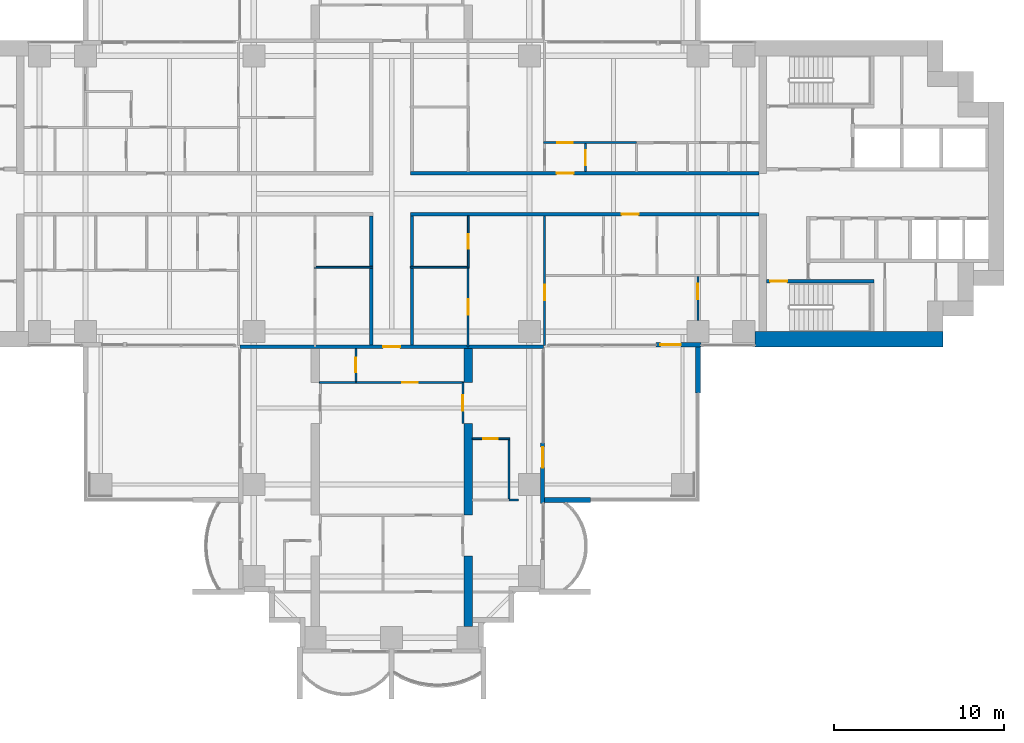
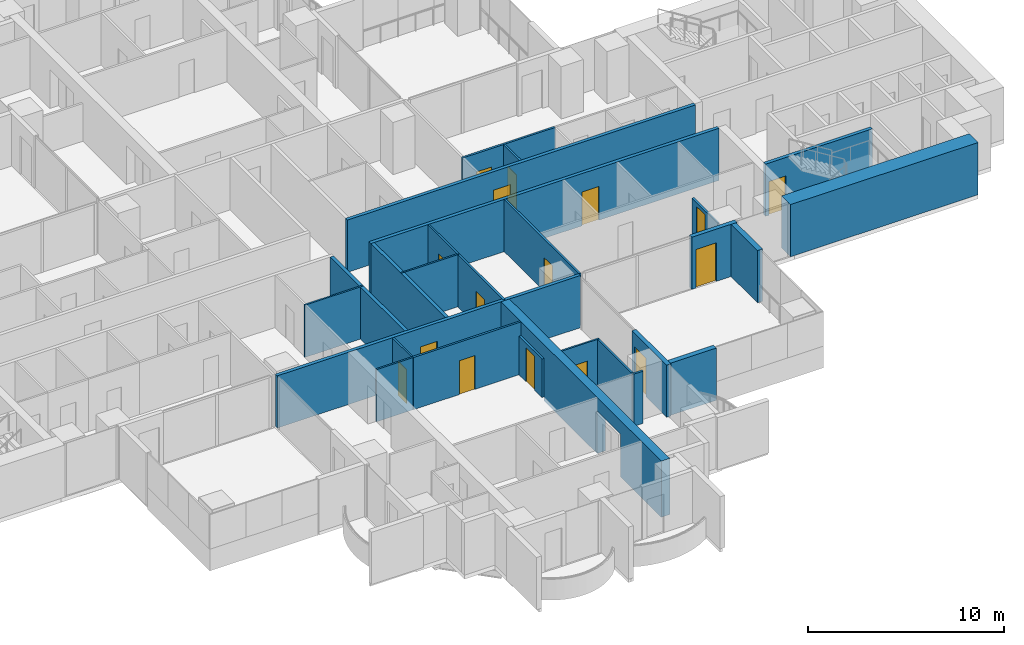
# One storey, part 12 of 21: 27 walls, 16 doors, 16 openings.
"""IFC4 building model written with IfcOpenShell, lengths in metres."""

from ifc_helpers import new_model, si_unit, direction, frame, frame_2d, origin, place, context, subcontext, project, spatial, polyline, rectangle, outline, extrude, material, layer, layer_set, material_profile, profile_set, type_object, element, fill, save


model = new_model("IFC4")

# Units and contexts
model_context = context("Model", 3, precision=1e-05, world=origin(), true_north=direction((0.0, 1.0)))
body_context = subcontext(model_context, "Body", "Model", "MODEL_VIEW")
ifc_project = project(units=[si_unit("LENGTHUNIT", "METRE"), si_unit("AREAUNIT", "SQUARE_METRE"), si_unit("VOLUMEUNIT", "CUBIC_METRE"), si_unit("PLANEANGLEUNIT", "RADIAN"), si_unit("MASSUNIT", "GRAM", prefix="KILO")], contexts=[model_context])

# Site, building, storey
site_placement = place(None, origin())
site = spatial("IfcSite", under=ifc_project, at=site_placement, CompositionType="ELEMENT")
building_placement = place(site_placement, origin())
building = spatial("IfcBuilding", under=site, at=building_placement, Name="Perihelion Cross Residences", CompositionType="ELEMENT")
storey_placement = place(building_placement, frame((0.0, 0.0, 43.5)))
storey = spatial("IfcBuildingStorey", under=building, at=storey_placement, Name="L07", CompositionType="ELEMENT", Elevation=43.5)

# Wall, opening, door
ifc_material_1 = material(Name="Plasterboard partition")
ifc_layer_1 = layer(ifc_material_1, 0.199951171875)
ifc_layer_set_1 = layer_set([ifc_layer_1], Name="Apartment separation wall 200")
wall_type_1 = type_object("IfcWallType", Name="Apartment separation wall 200", PredefinedType="PARTITIONING", material=ifc_layer_set_1)
wall_1_placement = place(storey_placement, frame((1.10009765625, 1.199951171875, 0.0), z_axis=(0.0, 0.0, 1.0), x_axis=(1.0, 0.0, 0.0)))
wall_1 = element("IfcWall", 1, at=wall_1_placement, inside=storey, type_object=wall_type_1, Name="Partition L07 W001", PredefinedType="PARTITIONING", context=body_context, shape_type="SweptSolid", body=[
    extrude(rectangle(XDim=20.5, YDim=0.199951171875, at=frame_2d((10.25, 0.0))), origin(), (0.0, 0.0, 1.0), 3.25),
])
opening_1_placement = place(wall_1_placement, frame((8.60009765625, 0.0, 0.0)))
opening_1 = element("IfcOpeningElement", 2, at=opening_1_placement, cuts=wall_1, Name="Opening L07.A50", PredefinedType="OPENING", context=body_context, shape_type="SweptSolid", body=[
    extrude(rectangle(XDim=1.0, YDim=2.10009765625, at=frame_2d((0.5, 1.050048828125))), frame((0.0, 0.10986328125, 0.0), z_axis=(0.0, -1.0, 0.0), x_axis=(1.0, 0.0, 0.0)), (0.0, 0.0, 1.0), 0.219970703125),
])
ifc_material_2 = material(Name="Timber door leaf", Category="wood")
door_type_1 = type_object("IfcDoorType", Name="Flat entrance door 1000 x 2100", OperationType="SINGLE_SWING_LEFT", PredefinedType="DOOR", material=ifc_material_2)
door_1_placement = place(opening_1_placement, origin())
door_1 = element("IfcDoor", 3, at=door_1_placement, inside=storey, type_object=door_type_1, Name="Door L07.A50", OperationType="SINGLE_SWING_RIGHT", OverallHeight=2.10009765625, OverallWidth=1.0, PredefinedType="DOOR", context=body_context, shape_type="SweptSolid", body=[
    extrude(rectangle(XDim=1.0, YDim=2.10009765625, at=frame_2d((0.5, 1.050048828125))), frame((0.0, 0.02490234375, 0.0), z_axis=(0.0, -1.0, 0.0), x_axis=(1.0, 0.0, 0.0)), (0.0, 0.0, 1.0), 0.050048828125),
])
fill(opening_1, door_1)

wall_2_placement = place(storey_placement, frame((21.60009765625, -1.199951171875, 0.0), z_axis=(0.0, 0.0, 1.0), x_axis=(-1.0, 0.0, 0.0)))
wall_2 = element("IfcWall", 4, at=wall_2_placement, inside=storey, type_object=wall_type_1, Name="Partition L07 W003", PredefinedType="PARTITIONING", context=body_context, shape_type="SweptSolid", body=[
    extrude(rectangle(XDim=20.5, YDim=0.199951171875, at=frame_2d((10.25, 0.0))), origin(), (0.0, 0.0, 1.0), 3.25),
])
opening_2_placement = place(wall_2_placement, frame((7.074951171875, 0.0, 0.0)))
opening_2 = element("IfcOpeningElement", 5, at=opening_2_placement, cuts=wall_2, Name="Opening L07.A51", PredefinedType="OPENING", context=body_context, shape_type="SweptSolid", body=[
    extrude(rectangle(XDim=1.0, YDim=2.10009765625, at=frame_2d((0.5, 1.050048828125))), frame((0.0, 0.10986328125, 0.0), z_axis=(0.0, -1.0, 0.0), x_axis=(1.0, 0.0, 0.0)), (0.0, 0.0, 1.0), 0.219970703125),
])
door_2_placement = place(opening_2_placement, origin())
door_2 = element("IfcDoor", 6, at=door_2_placement, inside=storey, type_object=door_type_1, Name="Door L07.A51", OperationType="SINGLE_SWING_LEFT", OverallHeight=2.10009765625, OverallWidth=1.0, PredefinedType="DOOR", context=body_context, shape_type="SweptSolid", body=[
    extrude(rectangle(XDim=1.0, YDim=2.10009765625, at=frame_2d((0.5, 1.050048828125))), frame((0.0, 0.02490234375, 0.0), z_axis=(0.0, -1.0, 0.0), x_axis=(1.0, 0.0, 0.0)), (0.0, 0.0, 1.0), 0.050048828125),
])
fill(opening_2, door_2)

# Walls
for number, where, z_axis, x_axis, name in (
    (7, (1.199951171875, -1.300048828125, 0.0), (0.0, 0.0, 1.0), (0.0, -1.0, 0.0), "Partition L07 W004"),
    (8, (-1.199951171875, -8.89990234375, 0.0), (0.0, 0.0, 1.0), (0.0, 1.0, 0.0), "Partition L07 W008"),
):
    element("IfcWall", number, at=place(storey_placement, frame(where, z_axis=z_axis, x_axis=x_axis)), inside=storey, type_object=wall_type_1, Name=name, PredefinedType="PARTITIONING", context=body_context, shape_type="SweptSolid", body=[
        extrude(rectangle(XDim=7.599853515625, YDim=0.199951171875, at=frame_2d((3.7998046875, 0.0))), origin(), (0.0, 0.0, 1.0), 3.25),
    ])

# Wall, opening, door
wall_3_placement = place(storey_placement, frame((8.919921875, -9.0, 0.0), z_axis=(0.0, 0.0, 1.0), x_axis=(-1.0, 0.0, 0.0)))
wall_3 = element("IfcWall", 9, at=wall_3_placement, inside=storey, type_object=wall_type_1, Name="Partition L07 W010", PredefinedType="PARTITIONING", context=body_context, shape_type="SweptSolid", body=[
    extrude(rectangle(XDim=17.83984375, YDim=0.199951171875, at=frame_2d((8.919921875, 0.0))), origin(), (0.0, 0.0, 1.0), 3.25),
])
opening_3_placement = place(wall_3_placement, frame((8.419921875, 0.0, 0.0)))
opening_3 = element("IfcOpeningElement", 10, at=opening_3_placement, cuts=wall_3, Name="Opening L07.A42", PredefinedType="OPENING", context=body_context, shape_type="SweptSolid", body=[
    extrude(rectangle(XDim=1.0, YDim=2.10009765625, at=frame_2d((0.5, 1.050048828125))), frame((0.0, 0.10986328125, 0.0), z_axis=(0.0, -1.0, 0.0), x_axis=(1.0, 0.0, 0.0)), (0.0, 0.0, 1.0), 0.219970703125),
])
door_3_placement = place(opening_3_placement, origin())
door_3 = element("IfcDoor", 11, at=door_3_placement, inside=storey, type_object=door_type_1, Name="Door L07.A42", OperationType="SINGLE_SWING_RIGHT", OverallHeight=2.10009765625, OverallWidth=1.0, PredefinedType="DOOR", context=body_context, shape_type="SweptSolid", body=[
    extrude(rectangle(XDim=1.0, YDim=2.10009765625, at=frame_2d((0.5, 1.050048828125))), frame((0.0, 0.02490234375, 0.0), z_axis=(0.0, -1.0, 0.0), x_axis=(1.0, 0.0, 0.0)), (0.0, 0.0, 1.0), 0.050048828125),
])
fill(opening_3, door_3)

ifc_material_3 = material(Name="Concrete C30/37, bronze-clad", Category="concrete")
ifc_layer_2 = layer(ifc_material_3, 0.25)
ifc_layer_set_2 = layer_set([ifc_layer_2], Name="Bronze-clad pier wall 250")
wall_type_2 = type_object("IfcWallType", Name="Bronze-clad pier wall 250", PredefinedType="SOLIDWALL", material=ifc_layer_set_2)
wall_4_placement = place(storey_placement, frame((8.875, -18.199951171875, 0.0), z_axis=(0.0, 0.0, 1.0), x_axis=(0.0, 1.0, 0.0)))
wall_4 = element("IfcWall", 12, at=wall_4_placement, inside=storey, type_object=wall_type_2, Name="Wall FW1 L07 south side east bay 2 pier", PredefinedType="SOLIDWALL", context=body_context, shape_type="SweptSolid", body=[
    extrude(rectangle(XDim=3.550048828125, YDim=0.25, at=frame_2d((1.77490234375, 0.0))), origin(), (0.0, 0.0, 1.0), 3.25),
])
opening_4_placement = place(wall_4_placement, frame((2.10009765625, 0.0, 0.0)))
opening_4 = element("IfcOpeningElement", 13, at=opening_4_placement, cuts=wall_4, Name="Opening L07.E15", PredefinedType="OPENING", context=body_context, shape_type="SweptSolid", body=[
    extrude(rectangle(XDim=1.199951171875, YDim=2.39990234375, at=frame_2d((0.60009765625, 1.199951171875))), frame((0.0, 0.135009765625, 0.0), z_axis=(0.0, -1.0, 0.0), x_axis=(1.0, 0.0, 0.0)), (0.0, 0.0, 1.0), 0.27001953125),
])
ifc_material_4 = material(Name="Bronze anodised aluminium, glazed", Category="aluminium")
door_type_2 = type_object("IfcDoorType", Name="Balcony door 1200 x 2400", OperationType="NOTDEFINED", PredefinedType="DOOR", material=ifc_material_4)
door_4_placement = place(opening_4_placement, origin())
door_4 = element("IfcDoor", 14, at=door_4_placement, inside=storey, type_object=door_type_2, Name="Door L07.E15 south side east bay 2", OperationType="SINGLE_SWING_RIGHT", OverallHeight=2.39990234375, OverallWidth=1.199951171875, PredefinedType="DOOR", context=body_context, shape_type="SweptSolid", body=[
    extrude(rectangle(XDim=1.199951171875, YDim=2.39990234375, at=frame_2d((0.60009765625, 1.199951171875))), frame((0.0, 0.02490234375, 0.0), z_axis=(0.0, -1.0, 0.0), x_axis=(1.0, 0.0, 0.0)), (0.0, 0.0, 1.0), 0.050048828125),
])
fill(opening_4, door_4)

wall_5_placement = place(storey_placement, frame((15.550048828125, -8.875, 0.0), z_axis=(0.0, 0.0, 1.0), x_axis=(1.0, 0.0, 0.0)))
wall_5 = element("IfcWall", 15, at=wall_5_placement, inside=storey, type_object=wall_type_2, Name="Wall FW1 L07 east side south bay 1 pier", PredefinedType="SOLIDWALL", context=body_context, shape_type="SweptSolid", body=[
    extrude(rectangle(XDim=2.64990234375, YDim=0.25, at=frame_2d((1.324951171875, 0.0))), origin(), (0.0, 0.0, 1.0), 3.25),
])
opening_5_placement = place(wall_5_placement, frame((0.25, 0.0, 0.0)))
opening_5 = element("IfcOpeningElement", 16, at=opening_5_placement, cuts=wall_5, Name="Opening L07.E16", PredefinedType="OPENING", context=body_context, shape_type="SweptSolid", body=[
    extrude(rectangle(XDim=1.199951171875, YDim=2.39990234375, at=frame_2d((0.60009765625, 1.199951171875))), frame((0.0, 0.135009765625, 0.0), z_axis=(0.0, -1.0, 0.0), x_axis=(1.0, 0.0, 0.0)), (0.0, 0.0, 1.0), 0.27001953125),
])
door_5_placement = place(opening_5_placement, origin())
door_5 = element("IfcDoor", 17, at=door_5_placement, inside=storey, type_object=door_type_2, Name="Door L07.E16 east side south bay 1", OperationType="SINGLE_SWING_LEFT", OverallHeight=2.39990234375, OverallWidth=1.199951171875, PredefinedType="DOOR", context=body_context, shape_type="SweptSolid", body=[
    extrude(rectangle(XDim=1.199951171875, YDim=2.39990234375, at=frame_2d((0.60009765625, 1.199951171875))), frame((0.0, 0.02490234375, 0.0), z_axis=(0.0, -1.0, 0.0), x_axis=(1.0, 0.0, 0.0)), (0.0, 0.0, 1.0), 0.050048828125),
])
fill(opening_5, door_5)

# Wall
ifc_material_5 = material(Name="Concrete C60/75", Category="concrete")
ifc_layer_3 = layer(ifc_material_5, 0.89990234375)
ifc_layer_set_3 = layer_set([ifc_layer_3], Name="Core wall, outer 900")
wall_type_3 = type_object("IfcWallType", Name="Core wall, outer 900", PredefinedType="SHEAR", material=ifc_layer_set_3)
wall_6_placement = place(storey_placement, frame((21.35009765625, -8.550048828125, 0.0), z_axis=(0.0, 0.0, 1.0), x_axis=(1.0, 0.0, 0.0)))
element("IfcWall", 18, at=wall_6_placement, inside=storey, type_object=wall_type_3, Name="East core core wall, outer", PredefinedType="SHEAR", context=body_context, shape_type="SweptSolid", body=[
    extrude(rectangle(XDim=11.0498046875, YDim=0.89990234375, at=frame_2d((5.52490234375, 0.0))), origin(), (0.0, 0.0, 1.0), 3.25),
])

# Wall, opening, door
ifc_material_6 = material(Name="Plasterboard partition")
ifc_layer_4 = layer(ifc_material_6, 0.1201171875)
ifc_layer_set_4 = layer_set([ifc_layer_4], Name="Infill panel 120")
wall_type_4 = type_object("IfcWallType", Name="Infill panel 120", PredefinedType="PARTITIONING", material=ifc_layer_set_4)
wall_7_placement = place(storey_placement, frame((4.18994140625, -11.10009765625, 0.0), z_axis=(0.0, 0.0, 1.0), x_axis=(0.0, -1.0, 0.0)))
wall_7 = element("IfcWall", 19, at=wall_7_placement, inside=storey, type_object=wall_type_4, Name="Partition L07 WI05", PredefinedType="PARTITIONING", context=body_context, shape_type="SweptSolid", body=[
    extrude(rectangle(XDim=2.39990234375, YDim=0.1201171875, at=frame_2d((1.199951171875, 0.0))), origin(), (0.0, 0.0, 1.0), 2.39990234375),
])
opening_6_placement = place(wall_7_placement, frame((0.75, 0.0, 0.0)))
opening_6 = element("IfcOpeningElement", 20, at=opening_6_placement, cuts=wall_7, Name="Opening L07.A58", PredefinedType="OPENING", context=body_context, shape_type="SweptSolid", body=[
    extrude(rectangle(XDim=0.89990234375, YDim=2.10009765625, at=frame_2d((0.449951171875, 1.050048828125))), frame((0.0, 0.070068359375, 0.0), z_axis=(0.0, -1.0, 0.0), x_axis=(1.0, 0.0, 0.0)), (0.0, 0.0, 1.0), 0.14013671875),
])
ifc_material_7 = material(Name="Timber door leaf", Category="wood")
door_type_3 = type_object("IfcDoorType", Name="Interior room door 900 x 2100", OperationType="SINGLE_SWING_LEFT", PredefinedType="DOOR", material=ifc_material_7)
door_6_placement = place(opening_6_placement, origin())
door_6 = element("IfcDoor", 21, at=door_6_placement, inside=storey, type_object=door_type_3, Name="Door L07.A58", OperationType="SINGLE_SWING_LEFT", OverallHeight=2.10009765625, OverallWidth=0.89990234375, PredefinedType="DOOR", context=body_context, shape_type="SweptSolid", body=[
    extrude(rectangle(XDim=0.89990234375, YDim=2.10009765625, at=frame_2d((0.449951171875, 1.050048828125))), frame((0.0, 0.02490234375, 0.0), z_axis=(0.0, -1.0, 0.0), x_axis=(1.0, 0.0, 0.0)), (0.0, 0.0, 1.0), 0.050048828125),
])
fill(opening_6, door_6)

ifc_material_8 = material(Name="Plasterboard partition")
ifc_layer_5 = layer(ifc_material_8, 0.1201171875)
ifc_layer_set_5 = layer_set([ifc_layer_5], Name="Partition wall 120")
wall_type_5 = type_object("IfcWallType", Name="Partition wall 120", PredefinedType="PARTITIONING", material=ifc_layer_set_5)
wall_8_placement = place(storey_placement, frame((11.39990234375, 2.93994140625, 0.0), z_axis=(0.0, 0.0, 1.0), x_axis=(0.0, -1.0, 0.0)))
wall_8 = element("IfcWall", 22, at=wall_8_placement, inside=storey, type_object=wall_type_5, Name="Partition L07 W011", PredefinedType="PARTITIONING", context=body_context, shape_type="SweptSolid", body=[
    extrude(rectangle(XDim=1.639892578125, YDim=0.1201171875, at=frame_2d((0.81982421875, 0.0))), origin(), (0.0, 0.0, 1.0), 3.25),
])
opening_7_placement = place(wall_8_placement, frame((0.3701171875, 0.0, 0.0)))
opening_7 = element("IfcOpeningElement", 23, at=opening_7_placement, cuts=wall_8, Name="Opening L07.A02", PredefinedType="OPENING", context=body_context, shape_type="SweptSolid", body=[
    extrude(rectangle(XDim=0.89990234375, YDim=2.10009765625, at=frame_2d((0.449951171875, 1.050048828125))), frame((0.0, 0.070068359375, 0.0), z_axis=(0.0, -1.0, 0.0), x_axis=(1.0, 0.0, 0.0)), (0.0, 0.0, 1.0), 0.14013671875),
])
door_7_placement = place(opening_7_placement, origin())
door_7 = element("IfcDoor", 24, at=door_7_placement, inside=storey, type_object=door_type_3, Name="Door L07.A02", OperationType="SINGLE_SWING_RIGHT", OverallHeight=2.10009765625, OverallWidth=0.89990234375, PredefinedType="DOOR", context=body_context, shape_type="SweptSolid", body=[
    extrude(rectangle(XDim=0.89990234375, YDim=2.10009765625, at=frame_2d((0.449951171875, 1.050048828125))), frame((0.0, 0.02490234375, 0.0), z_axis=(0.0, -1.0, 0.0), x_axis=(1.0, 0.0, 0.0)), (0.0, 0.0, 1.0), 0.050048828125),
])
fill(opening_7, door_7)

wall_9_placement = place(storey_placement, frame((8.93994140625, 3.0, 0.0), z_axis=(0.0, 0.0, 1.0), x_axis=(1.0, 0.0, 0.0)))
wall_9 = element("IfcWall", 25, at=wall_9_placement, inside=storey, type_object=wall_type_5, Name="Partition L07 W012", PredefinedType="PARTITIONING", context=body_context, shape_type="SweptSolid", body=[
    extrude(rectangle(XDim=5.4599609375, YDim=0.1201171875, at=frame_2d((2.72998046875, 0.0))), origin(), (0.0, 0.0, 1.0), 3.25),
])
opening_8_placement = place(wall_9_placement, frame((0.81005859375, 0.0, 0.0)))
opening_8 = element("IfcOpeningElement", 26, at=opening_8_placement, cuts=wall_9, Name="Opening L07.A07", PredefinedType="OPENING", context=body_context, shape_type="SweptSolid", body=[
    extrude(rectangle(XDim=0.89990234375, YDim=2.10009765625, at=frame_2d((0.449951171875, 1.050048828125))), frame((0.0, 0.070068359375, 0.0), z_axis=(0.0, -1.0, 0.0), x_axis=(1.0, 0.0, 0.0)), (0.0, 0.0, 1.0), 0.14013671875),
])
door_8_placement = place(opening_8_placement, origin())
door_8 = element("IfcDoor", 27, at=door_8_placement, inside=storey, type_object=door_type_3, Name="Door L07.A07", OperationType="SINGLE_SWING_RIGHT", OverallHeight=2.10009765625, OverallWidth=0.89990234375, PredefinedType="DOOR", context=body_context, shape_type="SweptSolid", body=[
    extrude(rectangle(XDim=0.89990234375, YDim=2.10009765625, at=frame_2d((0.449951171875, 1.050048828125))), frame((0.0, 0.02490234375, 0.0), z_axis=(0.0, -1.0, 0.0), x_axis=(1.0, 0.0, 0.0)), (0.0, 0.0, 1.0), 0.050048828125),
])
fill(opening_8, door_8)

wall_10_placement = place(storey_placement, frame((9.0, -8.919921875, 0.0), z_axis=(0.0, 0.0, 1.0), x_axis=(0.0, 1.0, 0.0)))
wall_10 = element("IfcWall", 28, at=wall_10_placement, inside=storey, type_object=wall_type_5, Name="Partition L07 W025", PredefinedType="PARTITIONING", context=body_context, shape_type="SweptSolid", body=[
    extrude(rectangle(XDim=7.619873046875, YDim=0.1201171875, at=frame_2d((3.81005859375, 0.0))), origin(), (0.0, 0.0, 1.0), 3.25),
])
opening_9_placement = place(wall_10_placement, frame((2.669921875, 0.0, 0.0)))
opening_9 = element("IfcOpeningElement", 29, at=opening_9_placement, cuts=wall_10, Name="Opening L07.A13", PredefinedType="OPENING", context=body_context, shape_type="SweptSolid", body=[
    extrude(rectangle(XDim=0.89990234375, YDim=2.10009765625, at=frame_2d((0.449951171875, 1.050048828125))), frame((0.0, 0.070068359375, 0.0), z_axis=(0.0, -1.0, 0.0), x_axis=(1.0, 0.0, 0.0)), (0.0, 0.0, 1.0), 0.14013671875),
])
door_9_placement = place(opening_9_placement, origin())
door_9 = element("IfcDoor", 30, at=door_9_placement, inside=storey, type_object=door_type_3, Name="Door L07.A13", OperationType="SINGLE_SWING_LEFT", OverallHeight=2.10009765625, OverallWidth=0.89990234375, PredefinedType="DOOR", context=body_context, shape_type="SweptSolid", body=[
    extrude(rectangle(XDim=0.89990234375, YDim=2.10009765625, at=frame_2d((0.449951171875, 1.050048828125))), frame((0.0, 0.02490234375, 0.0), z_axis=(0.0, -1.0, 0.0), x_axis=(1.0, 0.0, 0.0)), (0.0, 0.0, 1.0), 0.050048828125),
])
fill(opening_9, door_9)

wall_11_placement = place(storey_placement, frame((18.0, -4.860107421875, 0.0), z_axis=(0.0, 0.0, 1.0), x_axis=(0.0, -1.0, 0.0)))
wall_11 = element("IfcWall", 31, at=wall_11_placement, inside=storey, type_object=wall_type_5, Name="Partition L07 W029", PredefinedType="PARTITIONING", context=body_context, shape_type="SweptSolid", body=[
    extrude(rectangle(XDim=2.58984375, YDim=0.1201171875, at=frame_2d((1.294921875, 0.0))), origin(), (0.0, 0.0, 1.0), 2.345947265625),
])
opening_10_placement = place(wall_11_placement, frame((0.445068359375, 0.0, 0.0)))
opening_10 = element("IfcOpeningElement", 32, at=opening_10_placement, cuts=wall_11, Name="Opening L07.A09", PredefinedType="OPENING", context=body_context, shape_type="SweptSolid", body=[
    extrude(rectangle(XDim=0.89990234375, YDim=2.10009765625, at=frame_2d((0.449951171875, 1.050048828125))), frame((0.0, 0.070068359375, 0.0), z_axis=(0.0, -1.0, 0.0), x_axis=(1.0, 0.0, 0.0)), (0.0, 0.0, 1.0), 0.14013671875),
])
door_10_placement = place(opening_10_placement, origin())
door_10 = element("IfcDoor", 33, at=door_10_placement, inside=storey, type_object=door_type_3, Name="Door L07.A09", OperationType="SINGLE_SWING_LEFT", OverallHeight=2.10009765625, OverallWidth=0.89990234375, PredefinedType="DOOR", context=body_context, shape_type="SweptSolid", body=[
    extrude(rectangle(XDim=0.89990234375, YDim=2.10009765625, at=frame_2d((0.449951171875, 1.050048828125))), frame((0.0, 0.02490234375, 0.0), z_axis=(0.0, -1.0, 0.0), x_axis=(1.0, 0.0, 0.0)), (0.0, 0.0, 1.0), 0.050048828125),
])
fill(opening_10, door_10)

wall_12_placement = place(storey_placement, frame((4.5, -9.0, 0.0), z_axis=(0.0, 0.0, 1.0), x_axis=(0.0, 1.0, 0.0)))
wall_12 = element("IfcWall", 34, at=wall_12_placement, inside=storey, type_object=wall_type_5, Name="Partition L07 W031", PredefinedType="PARTITIONING", context=body_context, shape_type="SweptSolid", body=[
    extrude(rectangle(XDim=4.679931640625, YDim=0.1201171875, at=frame_2d((2.33984375, 0.0))), origin(), (0.0, 0.0, 1.0), 3.25),
])
opening_11_placement = place(wall_12_placement, frame((1.889892578125, 0.0, 0.0)))
opening_11 = element("IfcOpeningElement", 35, at=opening_11_placement, cuts=wall_12, Name="Opening L07.A14", PredefinedType="OPENING", context=body_context, shape_type="SweptSolid", body=[
    extrude(rectangle(XDim=0.89990234375, YDim=2.10009765625, at=frame_2d((0.449951171875, 1.050048828125))), frame((0.0, 0.070068359375, 0.0), z_axis=(0.0, -1.0, 0.0), x_axis=(1.0, 0.0, 0.0)), (0.0, 0.0, 1.0), 0.14013671875),
])
door_11_placement = place(opening_11_placement, origin())
door_11 = element("IfcDoor", 36, at=door_11_placement, inside=storey, type_object=door_type_3, Name="Door L07.A14", OperationType="SINGLE_SWING_LEFT", OverallHeight=2.10009765625, OverallWidth=0.89990234375, PredefinedType="DOOR", context=body_context, shape_type="SweptSolid", body=[
    extrude(rectangle(XDim=0.89990234375, YDim=2.10009765625, at=frame_2d((0.449951171875, 1.050048828125))), frame((0.0, 0.02490234375, 0.0), z_axis=(0.0, -1.0, 0.0), x_axis=(1.0, 0.0, 0.0)), (0.0, 0.0, 1.0), 0.050048828125),
])
fill(opening_11, door_11)

wall_13_placement = place(storey_placement, frame((4.25, -11.10009765625, 0.0), z_axis=(0.0, 0.0, 1.0), x_axis=(-1.0, 0.0, 0.0)))
wall_13 = element("IfcWall", 37, at=wall_13_placement, inside=storey, type_object=wall_type_5, Name="Partition L07 W073", PredefinedType="PARTITIONING", context=body_context, shape_type="SweptSolid", body=[
    extrude(rectangle(XDim=6.35009765625, YDim=0.1201171875, at=frame_2d((3.175048828125, 0.0))), origin(), (0.0, 0.0, 1.0), 3.25),
])
opening_12_placement = place(wall_13_placement, frame((2.72509765625, 0.0, 0.0)))
opening_12 = element("IfcOpeningElement", 38, at=opening_12_placement, cuts=wall_13, Name="Opening L07.A44", PredefinedType="OPENING", context=body_context, shape_type="SweptSolid", body=[
    extrude(rectangle(XDim=0.89990234375, YDim=2.10009765625, at=frame_2d((0.449951171875, 1.050048828125))), frame((0.0, 0.070068359375, 0.0), z_axis=(0.0, -1.0, 0.0), x_axis=(1.0, 0.0, 0.0)), (0.0, 0.0, 1.0), 0.14013671875),
])
door_12_placement = place(opening_12_placement, origin())
door_12 = element("IfcDoor", 39, at=door_12_placement, inside=storey, type_object=door_type_3, Name="Door L07.A44", OperationType="SINGLE_SWING_LEFT", OverallHeight=2.10009765625, OverallWidth=0.89990234375, PredefinedType="DOOR", context=body_context, shape_type="SweptSolid", body=[
    extrude(rectangle(XDim=0.89990234375, YDim=2.10009765625, at=frame_2d((0.449951171875, 1.050048828125))), frame((0.0, 0.02490234375, 0.0), z_axis=(0.0, -1.0, 0.0), x_axis=(1.0, 0.0, 0.0)), (0.0, 0.0, 1.0), 0.050048828125),
])
fill(opening_12, door_12)

# Walls
wall_14_placement = place(storey_placement, frame((7.449951171875, -18.0, 0.0), z_axis=(0.0, 0.0, 1.0), x_axis=(-1.0, 0.0, 0.0)))
element("IfcWall", 40, at=wall_14_placement, inside=storey, type_object=wall_type_5, Name="Partition L07 W080", PredefinedType="PARTITIONING", context=body_context, shape_type="SweptSolid", body=[
    extrude(rectangle(XDim=0.550048828125, YDim=0.1201171875, at=frame_2d((0.27490234375, 0.0))), origin(), (0.0, 0.0, 1.0), 3.25),
])
ifc_material_9 = material(Name="Precast concrete C50/60", Category="concrete")
ifc_layer_6 = layer(ifc_material_9, 0.300048828125)
ifc_layer_set_6 = layer_set([ifc_layer_6], Name="Precast concrete C50/60 blade wall 300")
wall_type_6 = type_object("IfcWallType", Name="Precast concrete C50/60 blade wall 300", PredefinedType="SOLIDWALL", material=ifc_layer_set_6)
wall_15_placement = place(storey_placement, frame((9.0, -18.0, 0.0), z_axis=(0.0, 0.0, 1.0), x_axis=(1.0, 0.0, 0.0)))
element("IfcWall", 41, at=wall_15_placement, inside=storey, type_object=wall_type_6, Name="Wall BL1 L07 no. 15", PredefinedType="SOLIDWALL", context=body_context, shape_type="SweptSolid", body=[
    extrude(rectangle(XDim=2.699951171875, YDim=0.300048828125, at=frame_2d((1.35009765625, 0.0))), origin(), (0.0, 0.0, 1.0), 3.25),
])
wall_16_placement = place(storey_placement, frame((18.0, -8.75, 0.0), z_axis=(0.0, 0.0, 1.0), x_axis=(0.0, -1.0, 0.0)))
element("IfcWall", 42, at=wall_16_placement, inside=storey, type_object=wall_type_6, Name="Wall BL1 L07 no. 11", PredefinedType="SOLIDWALL", context=body_context, shape_type="SweptSolid", body=[
    extrude(rectangle(XDim=2.949951171875, YDim=0.300048828125, at=frame_2d((1.47509765625, 0.0))), origin(), (0.0, 0.0, 1.0), 3.25),
])

# Wall, opening, door
ifc_material_10 = material(Name="Concrete C50/60", Category="concrete")
ifc_layer_7 = layer(ifc_material_10, 0.199951171875)
ifc_layer_set_7 = layer_set([ifc_layer_7], Name="Stair wall 200")
wall_type_7 = type_object("IfcWallType", Name="Stair wall 200", PredefinedType="SOLIDWALL", material=ifc_layer_set_7)
wall_17_placement = place(storey_placement, frame((22.050048828125, -5.14990234375, 0.0), z_axis=(0.0, 0.0, 1.0), x_axis=(1.0, 0.0, 0.0)))
wall_17 = element("IfcWall", 43, at=wall_17_placement, inside=storey, type_object=wall_type_7, Name="East core stair wall", PredefinedType="SOLIDWALL", context=body_context, shape_type="SweptSolid", body=[
    extrude(rectangle(XDim=6.300048828125, YDim=0.199951171875, at=frame_2d((3.14990234375, 0.0))), origin(), (0.0, 0.0, 1.0), 3.25),
])
opening_13_placement = place(wall_17_placement, frame((0.199951171875, 0.0, 0.0)))
opening_13 = element("IfcOpeningElement", 44, at=opening_13_placement, cuts=wall_17, Name="Opening L07.C05", PredefinedType="OPENING", context=body_context, shape_type="SweptSolid", body=[
    extrude(rectangle(XDim=1.0, YDim=2.10009765625, at=frame_2d((0.5, 1.050048828125))), frame((0.0, 0.10986328125, 0.0), z_axis=(0.0, -1.0, 0.0), x_axis=(1.0, 0.0, 0.0)), (0.0, 0.0, 1.0), 0.219970703125),
])
ifc_material_11 = material(Name="Steel, powder coated", Category="steel")
door_type_4 = type_object("IfcDoorType", Name="Stair door 1000", OperationType="SINGLE_SWING_LEFT", PredefinedType="DOOR", material=ifc_material_11)
door_13_placement = place(opening_13_placement, origin())
door_13 = element("IfcDoor", 45, at=door_13_placement, inside=storey, type_object=door_type_4, Name="East core stair door", OperationType="SINGLE_SWING_LEFT", OverallHeight=2.10009765625, OverallWidth=1.0, PredefinedType="DOOR", context=body_context, shape_type="SweptSolid", body=[
    extrude(rectangle(XDim=1.0, YDim=2.10009765625, at=frame_2d((0.5, 1.050048828125))), frame((0.0, 0.02490234375, 0.0), z_axis=(0.0, -1.0, 0.0), x_axis=(1.0, 0.0, 0.0)), (0.0, 0.0, 1.0), 0.050048828125),
])
fill(opening_13, door_13)

# Wall
ifc_material_12 = material(Name="Concrete C60/75", Category="concrete")
ifc_material_profile = material_profile(ifc_material_12, outline(polyline([(0.0, 0.0), (4.14990234375, 0.0), (4.14990234375, 2.64990234375), (6.550048828125, 2.64990234375), (6.550048828125, 0.0), (11.949951171875, 0.0), (11.949951171875, 2.64990234375), (14.35009765625, 2.64990234375), (14.35009765625, 0.0), (16.449951171875, 0.0), (16.449951171875, 3.5), (0.0, 3.5), (0.0, 0.0)])), Name="Tip spine wall")
ifc_profile_set = profile_set([ifc_material_profile], Name="Concrete C60/75")
wall_type_8 = type_object("IfcWallType", Name="Tip spine wall 500 with 2 door openings 16450 long 3500 high concrete C60/75 hand A", PredefinedType="SHEAR", material=ifc_profile_set)
wall_18_placement = place(storey_placement, frame((4.25, -25.449951171875, -0.25), z_axis=(1.0, 0.0, 0.0), x_axis=(0.0, 1.0, 0.0)))
element("IfcWall", 46, at=wall_18_placement, inside=storey, type_object=wall_type_8, Name="Shear wall SW24 L07 south east", PredefinedType="SHEAR", context=body_context, shape_type="SweptSolid", body=[
    extrude(outline(polyline([(0.0, 0.0), (4.14990234375, 0.0), (4.14990234375, 2.64990234375), (6.550048828125, 2.64990234375), (6.550048828125, 0.0), (11.949951171875, 0.0), (11.949951171875, 2.64990234375), (14.35009765625, 2.64990234375), (14.35009765625, 0.0), (16.449951171875, 0.0), (16.449951171875, 3.5), (0.0, 3.5), (0.0, 0.0)])), origin(), (0.0, 0.0, 1.0), 0.5),
])

# Wall, opening, door
ifc_material_13 = material(Name="Plasterboard partition")
ifc_layer_8 = layer(ifc_material_13, 0.10009765625)
ifc_layer_set_8 = layer_set([ifc_layer_8], Name="Wet room wall 100")
wall_type_9 = type_object("IfcWallType", Name="Wet room wall 100", PredefinedType="PARTITIONING", material=ifc_layer_set_8)
wall_19_placement = place(storey_placement, frame((4.5, -4.320068359375, 0.0), z_axis=(0.0, 0.0, 1.0), x_axis=(0.0, 1.0, 0.0)))
wall_19 = element("IfcWall", 47, at=wall_19_placement, inside=storey, type_object=wall_type_9, Name="Partition L07 W030", PredefinedType="PARTITIONING", context=body_context, shape_type="SweptSolid", body=[
    extrude(rectangle(XDim=3.02001953125, YDim=0.10009765625, at=frame_2d((1.510009765625, 0.0))), origin(), (0.0, 0.0, 1.0), 3.25),
])
opening_14_placement = place(wall_19_placement, frame((1.0849609375, 0.0, 0.0)))
opening_14 = element("IfcOpeningElement", 48, at=opening_14_placement, cuts=wall_19, Name="Opening L07.A15", PredefinedType="OPENING", context=body_context, shape_type="SweptSolid", body=[
    extrude(rectangle(XDim=0.85009765625, YDim=2.10009765625, at=frame_2d((0.425048828125, 1.050048828125))), frame((0.0, 0.06005859375, 0.0), z_axis=(0.0, -1.0, 0.0), x_axis=(1.0, 0.0, 0.0)), (0.0, 0.0, 1.0), 0.1201171875),
])
ifc_material_14 = material(Name="Timber door leaf", Category="wood")
door_type_5 = type_object("IfcDoorType", Name="Interior bathroom door 850 x 2100", OperationType="SINGLE_SWING_LEFT", PredefinedType="DOOR", material=ifc_material_14)
door_14_placement = place(opening_14_placement, origin())
door_14 = element("IfcDoor", 49, at=door_14_placement, inside=storey, type_object=door_type_5, Name="Door L07.A15", OperationType="SINGLE_SWING_LEFT", OverallHeight=2.10009765625, OverallWidth=0.85009765625, PredefinedType="DOOR", context=body_context, shape_type="SweptSolid", body=[
    extrude(rectangle(XDim=0.85009765625, YDim=2.10009765625, at=frame_2d((0.425048828125, 1.050048828125))), frame((0.0, 0.02490234375, 0.0), z_axis=(0.0, -1.0, 0.0), x_axis=(1.0, 0.0, 0.0)), (0.0, 0.0, 1.0), 0.050048828125),
])
fill(opening_14, door_14)

# Walls
for number, where, z_axis, x_axis, name in (
    (50, (4.56005859375, -4.320068359375, 0.0), (0.0, 0.0, 1.0), (-1.0, 0.0, 0.0), "Partition L07 W032"),
    (51, (-1.10009765625, -4.320068359375, 0.0), (0.0, 0.0, 1.0), (-1.0, 0.0, 0.0), "Partition L07 W056"),
):
    element("IfcWall", number, at=place(storey_placement, frame(where, z_axis=z_axis, x_axis=x_axis)), inside=storey, type_object=wall_type_9, Name=name, PredefinedType="PARTITIONING", context=body_context, shape_type="SweptSolid", body=[
        extrude(rectangle(XDim=3.4599609375, YDim=0.10009765625, at=frame_2d((1.72998046875, 0.0))), origin(), (0.0, 0.0, 1.0), 3.25),
    ])

# Wall, opening, door
wall_20_placement = place(storey_placement, frame((-2.10009765625, -11.0400390625, 0.0), z_axis=(0.0, 0.0, 1.0), x_axis=(0.0, 1.0, 0.0)))
wall_20 = element("IfcWall", 52, at=wall_20_placement, inside=storey, type_object=wall_type_9, Name="Partition L07 W072", PredefinedType="PARTITIONING", context=body_context, shape_type="SweptSolid", body=[
    extrude(rectangle(XDim=1.93994140625, YDim=0.10009765625, at=frame_2d((0.969970703125, 0.0))), origin(), (0.0, 0.0, 1.0), 3.25),
])
opening_15_placement = place(wall_20_placement, frame((0.544921875, 0.0, 0.0)))
opening_15 = element("IfcOpeningElement", 53, at=opening_15_placement, cuts=wall_20, Name="Opening L07.A43", PredefinedType="OPENING", context=body_context, shape_type="SweptSolid", body=[
    extrude(rectangle(XDim=0.85009765625, YDim=2.10009765625, at=frame_2d((0.425048828125, 1.050048828125))), frame((0.0, 0.06005859375, 0.0), z_axis=(0.0, -1.0, 0.0), x_axis=(1.0, 0.0, 0.0)), (0.0, 0.0, 1.0), 0.1201171875),
])
door_15_placement = place(opening_15_placement, origin())
door_15 = element("IfcDoor", 54, at=door_15_placement, inside=storey, type_object=door_type_5, Name="Door L07.A43", OperationType="SINGLE_SWING_LEFT", OverallHeight=2.10009765625, OverallWidth=0.85009765625, PredefinedType="DOOR", context=body_context, shape_type="SweptSolid", body=[
    extrude(rectangle(XDim=0.85009765625, YDim=2.10009765625, at=frame_2d((0.425048828125, 1.050048828125))), frame((0.0, 0.02490234375, 0.0), z_axis=(0.0, -1.0, 0.0), x_axis=(1.0, 0.0, 0.0)), (0.0, 0.0, 1.0), 0.050048828125),
])
fill(opening_15, door_15)

# Walls
wall_21_placement = place(storey_placement, frame((-2.10009765625, -11.10009765625, 0.0), z_axis=(0.0, 0.0, 1.0), x_axis=(-1.0, 0.0, 0.0)))
element("IfcWall", 55, at=wall_21_placement, inside=storey, type_object=wall_type_9, Name="Partition L07 W074", PredefinedType="PARTITIONING", context=body_context, shape_type="SweptSolid", body=[
    extrude(rectangle(XDim=2.14990234375, YDim=0.10009765625, at=frame_2d((1.074951171875, 0.0))), origin(), (0.0, 0.0, 1.0), 3.25),
])
wall_22_placement = place(storey_placement, frame((6.89990234375, -17.93994140625, 0.0), z_axis=(0.0, 0.0, 1.0), x_axis=(0.0, 1.0, 0.0)))
element("IfcWall", 56, at=wall_22_placement, inside=storey, type_object=wall_type_9, Name="Partition L07 W078", PredefinedType="PARTITIONING", context=body_context, shape_type="SweptSolid", body=[
    extrude(rectangle(XDim=3.489990234375, YDim=0.10009765625, at=frame_2d((1.7451171875, 0.0))), origin(), (0.0, 0.0, 1.0), 3.25),
])

# Wall, opening, door
wall_23_placement = place(storey_placement, frame((6.949951171875, -14.39990234375, 0.0), z_axis=(0.0, 0.0, 1.0), x_axis=(-1.0, 0.0, 0.0)))
wall_23 = element("IfcWall", 57, at=wall_23_placement, inside=storey, type_object=wall_type_9, Name="Partition L07 W079", PredefinedType="PARTITIONING", context=body_context, shape_type="SweptSolid", body=[
    extrude(rectangle(XDim=2.199951171875, YDim=0.10009765625, at=frame_2d((1.10009765625, 0.0))), origin(), (0.0, 0.0, 1.0), 3.25),
])
opening_16_placement = place(wall_23_placement, frame((0.699951171875, 0.0, 0.0)))
opening_16 = element("IfcOpeningElement", 58, at=opening_16_placement, cuts=wall_23, Name="Opening L07.A48", PredefinedType="OPENING", context=body_context, shape_type="SweptSolid", body=[
    extrude(rectangle(XDim=0.85009765625, YDim=2.10009765625, at=frame_2d((0.425048828125, 1.050048828125))), frame((0.0, 0.06005859375, 0.0), z_axis=(0.0, -1.0, 0.0), x_axis=(1.0, 0.0, 0.0)), (0.0, 0.0, 1.0), 0.1201171875),
])
door_16_placement = place(opening_16_placement, origin())
door_16 = element("IfcDoor", 59, at=door_16_placement, inside=storey, type_object=door_type_5, Name="Door L07.A48", OperationType="SINGLE_SWING_RIGHT", OverallHeight=2.10009765625, OverallWidth=0.85009765625, PredefinedType="DOOR", context=body_context, shape_type="SweptSolid", body=[
    extrude(rectangle(XDim=0.85009765625, YDim=2.10009765625, at=frame_2d((0.425048828125, 1.050048828125))), frame((0.0, 0.02490234375, 0.0), z_axis=(0.0, -1.0, 0.0), x_axis=(1.0, 0.0, 0.0)), (0.0, 0.0, 1.0), 0.050048828125),
])
fill(opening_16, door_16)

save(model, "model.ifc")
